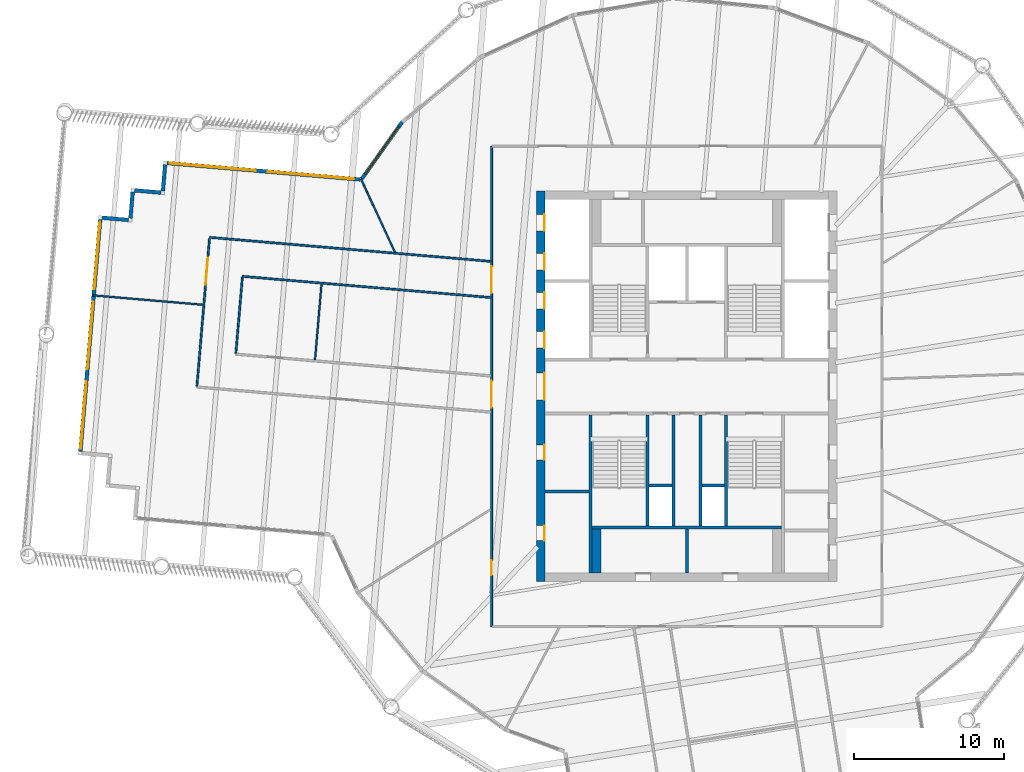
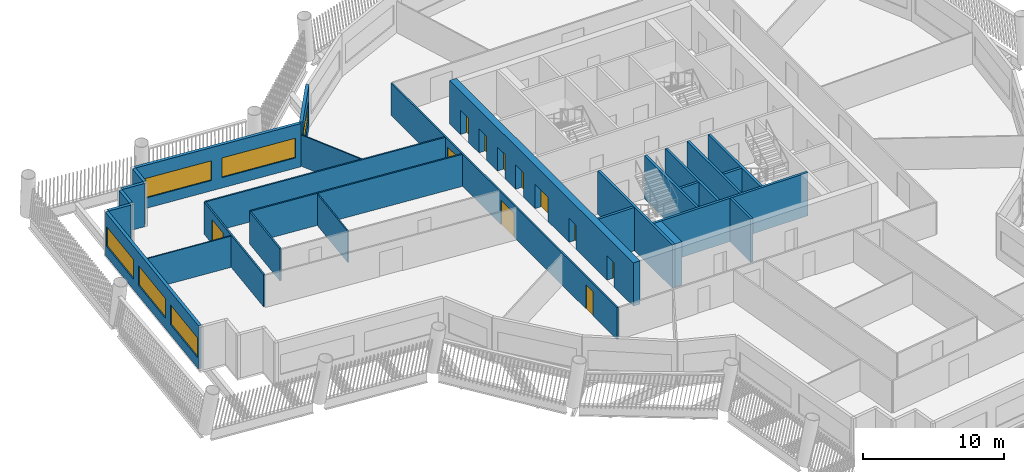
# One storey, part 4 of 14: 27 walls, 11 doors, 6 windows, 17 openings.
"""IFC4 building model written with IfcOpenShell, lengths in metres."""

from ifc_helpers import new_model, si_unit, direction, frame, frame_2d, origin, place, context, subcontext, project, spatial, rectangle, extrude, material, layer, layer_set, type_object, element, fill, save


model = new_model("IFC4")

# Units and contexts
model_context = context("Model", 3, precision=1e-05, world=origin(), true_north=direction((0.0, 1.0)))
body_context = subcontext(model_context, "Body", "Model", "MODEL_VIEW")
ifc_project = project(units=[si_unit("LENGTHUNIT", "METRE"), si_unit("AREAUNIT", "SQUARE_METRE"), si_unit("VOLUMEUNIT", "CUBIC_METRE"), si_unit("PLANEANGLEUNIT", "RADIAN"), si_unit("MASSUNIT", "GRAM", prefix="KILO")], contexts=[model_context])

# Site, building, storey
site_placement = place(None, origin())
site = spatial("IfcSite", under=ifc_project, at=site_placement, CompositionType="ELEMENT")
building_placement = place(site_placement, origin())
building = spatial("IfcBuilding", under=site, at=building_placement, Name="Tarsis Ring Headquarters", CompositionType="ELEMENT")
storey_placement = place(building_placement, frame((0.0, 0.0, 266.89990234375)))
storey = spatial("IfcBuildingStorey", under=building, at=storey_placement, Name="L62", CompositionType="ELEMENT", Elevation=266.89990234375)

# Walls
ifc_material_1 = material(Name="Blockwork", Category="masonry")
ifc_layer_1 = layer(ifc_material_1, 0.199951171875)
ifc_layer_set_1 = layer_set([ifc_layer_1], Name="Core blockwork wall 200")
wall_type_1 = type_object("IfcWallType", Name="Core blockwork wall 200", PredefinedType="PARTITIONING", material=ifc_layer_set_1)
for number, where, z_axis, x_axis, name in (
    (1, (-9.449951171875, -7.0, 0.0), (0.0, 0.0, 1.0), (1.0, 0.0, 0.0), "Core partition WD2"),
    (2, (0.0, -12.449951171875, 0.0), (0.0, 0.0, 1.0), (0.0, 1.0, 0.0), "Core partition SD2"),
):
    element("IfcWall", number, at=place(storey_placement, frame(where, z_axis=z_axis, x_axis=x_axis)), inside=storey, type_object=wall_type_1, Name=name, PredefinedType="PARTITIONING", context=body_context, shape_type="SweptSolid", body=[
        extrude(rectangle(XDim=2.949951171875, YDim=0.199951171875, at=frame_2d((1.47509765625, 0.0))), origin(), (0.0, 0.0, 1.0), 3.739990234375),
    ])
for number, where, z_axis, x_axis, name in (
    (3, (-2.5, -6.60009765625, 0.0), (0.0, 0.0, 1.0), (1.0, 0.0, 0.0), "Core partition SP1"),
    (4, (1.0, -6.60009765625, 0.0), (0.0, 0.0, 1.0), (1.0, 0.0, 0.0), "Core partition SP3"),
):
    element("IfcWall", number, at=place(storey_placement, frame(where, z_axis=z_axis, x_axis=x_axis)), inside=storey, type_object=wall_type_1, Name=name, PredefinedType="PARTITIONING", context=body_context, shape_type="SweptSolid", body=[
        extrude(rectangle(XDim=1.5, YDim=0.199951171875, at=frame_2d((0.75, 0.0))), origin(), (0.0, 0.0, 1.0), 3.739990234375),
    ])
for number, where, z_axis, x_axis, name in (
    (5, (-0.89990234375, -9.300048828125, 0.0), (0.0, 0.0, 1.0), (0.0, 1.0, 0.0), "Core partition SV1"),
    (6, (0.89990234375, -9.300048828125, 0.0), (0.0, 0.0, 1.0), (0.0, 1.0, 0.0), "Core partition SV2"),
):
    element("IfcWall", number, at=place(storey_placement, frame(where, z_axis=z_axis, x_axis=x_axis)), inside=storey, type_object=wall_type_1, Name=name, PredefinedType="PARTITIONING", context=body_context, shape_type="SweptSolid", body=[
        extrude(rectangle(XDim=7.400146484375, YDim=0.199951171875, at=frame_2d((3.7001953125, 0.0))), origin(), (0.0, 0.0, 1.0), 3.739990234375),
    ])

# Wall, openings, doors
ifc_material_2 = material(Name="Concrete C50/60", Category="concrete")
ifc_layer_2 = layer(ifc_material_2, 0.550048828125)
ifc_layer_set_2 = layer_set([ifc_layer_2], Name="Core wall 550 C50/60")
wall_type_2 = type_object("IfcWallType", Name="Core wall 550 C50/60", PredefinedType="SHEAR", material=ifc_layer_set_2)
wall_1_placement = place(storey_placement, frame((-9.72509765625, -13.0, 0.0), z_axis=(0.0, 0.0, 1.0), x_axis=(0.0, 1.0, 0.0)))
wall_1 = element("IfcWall", 7, at=wall_1_placement, inside=storey, type_object=wall_type_2, Name="Core wall OW", PredefinedType="SHEAR", context=body_context, shape_type="SweptSolid", body=[
    extrude(rectangle(XDim=26.0, YDim=0.550048828125, at=frame_2d((13.0, 0.0))), origin(), (0.0, 0.0, 1.0), 3.739990234375),
])
opening_1_placement = place(wall_1_placement, frame((2.72509765625, 0.0, 0.0)))
opening_1 = element("IfcOpeningElement", 8, at=opening_1_placement, cuts=wall_1, Name="Opening L62-C01", PredefinedType="OPENING", context=body_context, shape_type="SweptSolid", body=[
    extrude(rectangle(XDim=1.0, YDim=2.10009765625, at=frame_2d((0.5, 1.050048828125))), frame((0.0, 0.284912109375, 0.0), z_axis=(0.0, -1.0, 0.0), x_axis=(1.0, 0.0, 0.0)), (0.0, 0.0, 1.0), 0.570068359375),
])
opening_2_placement = place(wall_1_placement, frame((8.10009765625, 0.0, 0.0)))
opening_2 = element("IfcOpeningElement", 9, at=opening_2_placement, cuts=wall_1, Name="Opening L62-C02", PredefinedType="OPENING", context=body_context, shape_type="SweptSolid", body=[
    extrude(rectangle(XDim=1.0, YDim=2.10009765625, at=frame_2d((0.5, 1.050048828125))), frame((0.0, 0.284912109375, 0.0), z_axis=(0.0, -1.0, 0.0), x_axis=(1.0, 0.0, 0.0)), (0.0, 0.0, 1.0), 0.570068359375),
])
opening_3_placement = place(wall_1_placement, frame((12.10009765625, 0.0, 0.0)))
opening_3 = element("IfcOpeningElement", 10, at=opening_3_placement, cuts=wall_1, Name="Opening L62-C03", PredefinedType="OPENING", context=body_context, shape_type="SweptSolid", body=[
    extrude(rectangle(XDim=1.800048828125, YDim=2.10009765625, at=frame_2d((0.89990234375, 1.050048828125))), frame((0.0, 0.284912109375, 0.0), z_axis=(0.0, -1.0, 0.0), x_axis=(1.0, 0.0, 0.0)), (0.0, 0.0, 1.0), 0.570068359375),
])
opening_4_placement = place(wall_1_placement, frame((15.550048828125, 0.0, 0.0)))
opening_4 = element("IfcOpeningElement", 11, at=opening_4_placement, cuts=wall_1, Name="Opening LD-HR1", PredefinedType="OPENING", context=body_context, shape_type="SweptSolid", body=[
    extrude(rectangle(XDim=1.10009765625, YDim=2.10009765625, at=frame_2d((0.550048828125, 1.050048828125))), frame((0.0, 0.284912109375, 0.0), z_axis=(0.0, -1.0, 0.0), x_axis=(1.0, 0.0, 0.0)), (0.0, 0.0, 1.0), 0.570068359375),
])
opening_5_placement = place(wall_1_placement, frame((18.14990234375, 0.0, 0.0)))
opening_5 = element("IfcOpeningElement", 12, at=opening_5_placement, cuts=wall_1, Name="Opening LD-HR2", PredefinedType="OPENING", context=body_context, shape_type="SweptSolid", body=[
    extrude(rectangle(XDim=1.10009765625, YDim=2.10009765625, at=frame_2d((0.550048828125, 1.050048828125))), frame((0.0, 0.284912109375, 0.0), z_axis=(0.0, -1.0, 0.0), x_axis=(1.0, 0.0, 0.0)), (0.0, 0.0, 1.0), 0.570068359375),
])
opening_6_placement = place(wall_1_placement, frame((20.75, 0.0, 0.0)))
opening_6 = element("IfcOpeningElement", 13, at=opening_6_placement, cuts=wall_1, Name="Opening LD-HR3", PredefinedType="OPENING", context=body_context, shape_type="SweptSolid", body=[
    extrude(rectangle(XDim=1.10009765625, YDim=2.10009765625, at=frame_2d((0.550048828125, 1.050048828125))), frame((0.0, 0.284912109375, 0.0), z_axis=(0.0, -1.0, 0.0), x_axis=(1.0, 0.0, 0.0)), (0.0, 0.0, 1.0), 0.570068359375),
])
opening_7_placement = place(wall_1_placement, frame((23.35009765625, 0.0, 0.0)))
opening_7 = element("IfcOpeningElement", 14, at=opening_7_placement, cuts=wall_1, Name="Opening LD-HR4", PredefinedType="OPENING", context=body_context, shape_type="SweptSolid", body=[
    extrude(rectangle(XDim=1.10009765625, YDim=2.10009765625, at=frame_2d((0.550048828125, 1.050048828125))), frame((0.0, 0.284912109375, 0.0), z_axis=(0.0, -1.0, 0.0), x_axis=(1.0, 0.0, 0.0)), (0.0, 0.0, 1.0), 0.570068359375),
])
ifc_material_3 = material(Name="Steel S355", Category="steel")
door_type_1 = type_object("IfcDoorType", Name="Core entry door 1800x2100", OperationType="DOUBLE_DOOR_SINGLE_SWING", PredefinedType="DOOR", material=ifc_material_3)
door_1_placement = place(opening_3_placement, origin())
door_1 = element("IfcDoor", 15, at=door_1_placement, inside=storey, type_object=door_type_1, Name="Core entry door L62", OperationType="DOUBLE_DOOR_SINGLE_SWING", OverallHeight=2.10009765625, OverallWidth=1.800048828125, PredefinedType="DOOR", context=body_context, shape_type="SweptSolid", body=[
    extrude(rectangle(XDim=1.800048828125, YDim=2.10009765625, at=frame_2d((0.89990234375, 1.050048828125))), frame((0.0, -0.22509765625, 0.0), z_axis=(0.0, -1.0, 0.0), x_axis=(1.0, 0.0, 0.0)), (0.0, 0.0, 1.0), 0.050048828125),
])
fill(opening_3, door_1)
door_type_2 = type_object("IfcDoorType", Name="Core room door 1000x2100", OperationType="SINGLE_SWING_LEFT", PredefinedType="DOOR", material=ifc_material_3)
door_2_placement = place(opening_1_placement, origin())
door_2 = element("IfcDoor", 16, at=door_2_placement, inside=storey, type_object=door_type_2, Name="Core room door L62", OperationType="SINGLE_SWING_LEFT", OverallHeight=2.10009765625, OverallWidth=1.0, PredefinedType="DOOR", context=body_context, shape_type="SweptSolid", body=[
    extrude(rectangle(XDim=1.0, YDim=2.10009765625, at=frame_2d((0.5, 1.050048828125))), frame((0.0, -0.22509765625, 0.0), z_axis=(0.0, -1.0, 0.0), x_axis=(1.0, 0.0, 0.0)), (0.0, 0.0, 1.0), 0.050048828125),
])
fill(opening_1, door_2)
door_3_placement = place(opening_2_placement, origin())
door_3 = element("IfcDoor", 17, at=door_3_placement, inside=storey, type_object=door_type_2, Name="Core room door L62", OperationType="SINGLE_SWING_LEFT", OverallHeight=2.10009765625, OverallWidth=1.0, PredefinedType="DOOR", context=body_context, shape_type="SweptSolid", body=[
    extrude(rectangle(XDim=1.0, YDim=2.10009765625, at=frame_2d((0.5, 1.050048828125))), frame((0.0, -0.22509765625, 0.0), z_axis=(0.0, -1.0, 0.0), x_axis=(1.0, 0.0, 0.0)), (0.0, 0.0, 1.0), 0.050048828125),
])
fill(opening_2, door_3)
door_type_3 = type_object("IfcDoorType", Name="Landing door 1100x2100", OperationType="SLIDING_TO_LEFT", PredefinedType="DOOR", material=ifc_material_3)
door_4_placement = place(opening_4_placement, origin())
door_4 = element("IfcDoor", 18, at=door_4_placement, inside=storey, type_object=door_type_3, Name="Landing door HR1 L62", OperationType="SLIDING_TO_LEFT", OverallHeight=2.10009765625, OverallWidth=1.10009765625, PredefinedType="DOOR", context=body_context, shape_type="SweptSolid", body=[
    extrude(rectangle(XDim=1.10009765625, YDim=2.10009765625, at=frame_2d((0.550048828125, 1.050048828125))), frame((0.0, -0.22509765625, 0.0), z_axis=(0.0, -1.0, 0.0), x_axis=(1.0, 0.0, 0.0)), (0.0, 0.0, 1.0), 0.050048828125),
])
fill(opening_4, door_4)
door_5_placement = place(opening_5_placement, origin())
door_5 = element("IfcDoor", 19, at=door_5_placement, inside=storey, type_object=door_type_3, Name="Landing door HR2 L62", OperationType="SLIDING_TO_LEFT", OverallHeight=2.10009765625, OverallWidth=1.10009765625, PredefinedType="DOOR", context=body_context, shape_type="SweptSolid", body=[
    extrude(rectangle(XDim=1.10009765625, YDim=2.10009765625, at=frame_2d((0.550048828125, 1.050048828125))), frame((0.0, -0.22509765625, 0.0), z_axis=(0.0, -1.0, 0.0), x_axis=(1.0, 0.0, 0.0)), (0.0, 0.0, 1.0), 0.050048828125),
])
fill(opening_5, door_5)
door_6_placement = place(opening_6_placement, origin())
door_6 = element("IfcDoor", 20, at=door_6_placement, inside=storey, type_object=door_type_3, Name="Landing door HR3 L62", OperationType="SLIDING_TO_LEFT", OverallHeight=2.10009765625, OverallWidth=1.10009765625, PredefinedType="DOOR", context=body_context, shape_type="SweptSolid", body=[
    extrude(rectangle(XDim=1.10009765625, YDim=2.10009765625, at=frame_2d((0.550048828125, 1.050048828125))), frame((0.0, -0.22509765625, 0.0), z_axis=(0.0, -1.0, 0.0), x_axis=(1.0, 0.0, 0.0)), (0.0, 0.0, 1.0), 0.050048828125),
])
fill(opening_6, door_6)
door_7_placement = place(opening_7_placement, origin())
door_7 = element("IfcDoor", 21, at=door_7_placement, inside=storey, type_object=door_type_3, Name="Landing door HR4 L62", OperationType="SLIDING_TO_LEFT", OverallHeight=2.10009765625, OverallWidth=1.10009765625, PredefinedType="DOOR", context=body_context, shape_type="SweptSolid", body=[
    extrude(rectangle(XDim=1.10009765625, YDim=2.10009765625, at=frame_2d((0.550048828125, 1.050048828125))), frame((0.0, -0.22509765625, 0.0), z_axis=(0.0, -1.0, 0.0), x_axis=(1.0, 0.0, 0.0)), (0.0, 0.0, 1.0), 0.050048828125),
])
fill(opening_7, door_7)

# Walls
ifc_material_4 = material(Name="Gypsum board on steel studs", Category="steel")
ifc_layer_3 = layer(ifc_material_4, 0.10009765625)
ifc_layer_set_3 = layer_set([ifc_layer_3], Name="FL partition 100 unrated")
wall_type_3 = type_object("IfcWallType", Name="FL partition 100 unrated", PredefinedType="PARTITIONING", material=ifc_layer_set_3)
wall_2_placement = place(storey_placement, frame((-39.577880859375, 6.058837890625, 0.0), z_axis=(0.0, 0.0, 1.0), x_axis=(0.996374862874, -0.085071338493, 0.0)))
element("IfcWall", 22, at=wall_2_placement, inside=storey, type_object=wall_type_3, Name="Partition PW3", PredefinedType="PARTITIONING", context=body_context, shape_type="SweptSolid", body=[
    extrude(rectangle(XDim=7.36962890625, YDim=0.10009765625, at=frame_2d((3.684814453125, 0.0))), origin(), (0.0, 0.0, 1.0), 2.7001953125),
])
wall_3_placement = place(storey_placement, frame((-21.705810546875, 13.821533203125, 0.0), z_axis=(0.0, 0.0, 1.0), x_axis=(0.420558614475, -0.907265370105, 0.0)))
element("IfcWall", 23, at=wall_3_placement, inside=storey, type_object=wall_type_3, Name="Partition PW3", PredefinedType="PARTITIONING", context=body_context, shape_type="SweptSolid", body=[
    extrude(rectangle(XDim=5.373779296875, YDim=0.10009765625, at=frame_2d((2.68701171875, 0.0))), origin(), (0.0, 0.0, 1.0), 2.7001953125),
])
wall_4_placement = place(storey_placement, frame((-24.759765625, 1.7626953125, 0.0), z_axis=(0.0, 0.0, 1.0), x_axis=(0.085065845523, 0.996375331853, 0.0)))
element("IfcWall", 24, at=wall_4_placement, inside=storey, type_object=wall_type_3, Name="Partition PW3", PredefinedType="PARTITIONING", context=body_context, shape_type="SweptSolid", body=[
    extrude(rectangle(XDim=5.059814453125, YDim=0.10009765625, at=frame_2d((2.52978515625, 0.0))), origin(), (0.0, 0.0, 1.0), 2.7001953125),
])

# Wall, openings, doors
ifc_layer_4 = layer(ifc_material_4, 0.125)
ifc_layer_set_4 = layer_set([ifc_layer_4], Name="FL partition 125 EI 60 H2770")
wall_type_4 = type_object("IfcWallType", Name="FL partition 125 EI 60 H2770", PredefinedType="PARTITIONING", material=ifc_layer_set_4)
wall_5_placement = place(storey_placement, frame((-13.0, -16.0, 0.0), z_axis=(0.0, 0.0, 1.0), x_axis=(0.0, 1.0, 0.0)))
wall_5 = element("IfcWall", 25, at=wall_5_placement, inside=storey, type_object=wall_type_4, Name="Partition PW1", PredefinedType="PARTITIONING", context=body_context, shape_type="SweptSolid", body=[
    extrude(rectangle(XDim=32.0, YDim=0.125, at=frame_2d((16.0, 0.0))), origin(), (0.0, 0.0, 1.0), 2.77001953125),
])
opening_8_placement = place(wall_5_placement, frame((3.41943359375, 0.0, 0.0)))
opening_8 = element("IfcOpeningElement", 26, at=opening_8_placement, cuts=wall_5, Name="Opening D62.11", PredefinedType="OPENING", context=body_context, shape_type="SweptSolid", body=[
    extrude(rectangle(XDim=1.0, YDim=2.10009765625, at=frame_2d((0.5, 1.050048828125))), frame((0.0, 0.072509765625, 0.0), z_axis=(0.0, -1.0, 0.0), x_axis=(1.0, 0.0, 0.0)), (0.0, 0.0, 1.0), 0.14501953125),
])
opening_9_placement = place(wall_5_placement, frame((14.583984375, 0.0, 0.0)))
opening_9 = element("IfcOpeningElement", 27, at=opening_9_placement, cuts=wall_5, Name="Opening D62.18", PredefinedType="OPENING", context=body_context, shape_type="SweptSolid", body=[
    extrude(rectangle(XDim=1.800048828125, YDim=2.10009765625, at=frame_2d((0.89990234375, 1.050048828125))), frame((0.0, 0.072509765625, 0.0), z_axis=(0.0, -1.0, 0.0), x_axis=(1.0, 0.0, 0.0)), (0.0, 0.0, 1.0), 0.14501953125),
])
opening_10_placement = place(wall_5_placement, frame((22.211669921875, 0.0, 0.0)))
opening_10 = element("IfcOpeningElement", 28, at=opening_10_placement, cuts=wall_5, Name="Opening D62.19", PredefinedType="OPENING", context=body_context, shape_type="SweptSolid", body=[
    extrude(rectangle(XDim=1.800048828125, YDim=2.10009765625, at=frame_2d((0.89990234375, 1.050048828125))), frame((0.0, 0.072509765625, 0.0), z_axis=(0.0, -1.0, 0.0), x_axis=(1.0, 0.0, 0.0)), (0.0, 0.0, 1.0), 0.14501953125),
])
ifc_material_5 = material(Name="Fire-rated timber door leaf in steel frame", Category="steel")
door_type_4 = type_object("IfcDoorType", Name="FL door FD60-1000", OperationType="NOTDEFINED", PredefinedType="DOOR", material=ifc_material_5)
door_8_placement = place(opening_8_placement, origin())
door_8 = element("IfcDoor", 29, at=door_8_placement, inside=storey, type_object=door_type_4, Name="Door D62.11", OperationType="SINGLE_SWING_LEFT", OverallHeight=2.10009765625, OverallWidth=1.0, PredefinedType="DOOR", context=body_context, shape_type="SweptSolid", body=[
    extrude(rectangle(XDim=1.0, YDim=2.10009765625, at=frame_2d((0.5, 1.050048828125))), frame((0.0, 0.02490234375, 0.0), z_axis=(0.0, -1.0, 0.0), x_axis=(1.0, 0.0, 0.0)), (0.0, 0.0, 1.0), 0.050048828125),
])
fill(opening_8, door_8)
door_type_5 = type_object("IfcDoorType", Name="FL door FD60-1800", OperationType="DOUBLE_DOOR_SINGLE_SWING", PredefinedType="DOOR", material=ifc_material_5)
door_9_placement = place(opening_9_placement, origin())
door_9 = element("IfcDoor", 30, at=door_9_placement, inside=storey, type_object=door_type_5, Name="Door D62.18", OperationType="DOUBLE_DOOR_SINGLE_SWING", OverallHeight=2.10009765625, OverallWidth=1.800048828125, PredefinedType="DOOR", context=body_context, shape_type="SweptSolid", body=[
    extrude(rectangle(XDim=1.800048828125, YDim=2.10009765625, at=frame_2d((0.89990234375, 1.050048828125))), frame((0.0, 0.02490234375, 0.0), z_axis=(0.0, -1.0, 0.0), x_axis=(1.0, 0.0, 0.0)), (0.0, 0.0, 1.0), 0.050048828125),
])
fill(opening_9, door_9)
door_10_placement = place(opening_10_placement, origin())
door_10 = element("IfcDoor", 31, at=door_10_placement, inside=storey, type_object=door_type_5, Name="Door D62.19", OperationType="DOUBLE_DOOR_SINGLE_SWING", OverallHeight=2.10009765625, OverallWidth=1.800048828125, PredefinedType="DOOR", context=body_context, shape_type="SweptSolid", body=[
    extrude(rectangle(XDim=1.800048828125, YDim=2.10009765625, at=frame_2d((0.89990234375, 1.050048828125))), frame((0.0, 0.02490234375, 0.0), z_axis=(0.0, -1.0, 0.0), x_axis=(1.0, 0.0, 0.0)), (0.0, 0.0, 1.0), 0.050048828125),
])
fill(opening_10, door_10)

# Walls
wall_6_placement = place(storey_placement, frame((-31.781494140625, 9.919677734375, 0.0), z_axis=(0.0, 0.0, 1.0), x_axis=(0.996374786083, -0.085072237881, 0.0)))
element("IfcWall", 32, at=wall_6_placement, inside=storey, type_object=wall_type_4, Name="Partition PW1", PredefinedType="PARTITIONING", context=body_context, shape_type="SweptSolid", body=[
    extrude(rectangle(XDim=18.780029296875, YDim=0.125, at=frame_2d((9.39013671875, 0.0))), origin(), (0.0, 0.0, 1.0), 2.77001953125),
])
wall_7_placement = place(storey_placement, frame((-29.59423828125, 7.32421875, 0.0), z_axis=(0.0, 0.0, 1.0), x_axis=(0.996374866898, -0.085071291362, 0.0)))
element("IfcWall", 33, at=wall_7_placement, inside=storey, type_object=wall_type_4, Name="Partition PW1", PredefinedType="PARTITIONING", context=body_context, shape_type="SweptSolid", body=[
    extrude(rectangle(XDim=16.584716796875, YDim=0.125, at=frame_2d((8.29248046875, 0.0))), origin(), (0.0, 0.0, 1.0), 2.77001953125),
])

# Wall, opening, door
wall_8_placement = place(storey_placement, frame((-32.626953125, 0.015625, 0.0), z_axis=(0.0, 0.0, 1.0), x_axis=(0.08505350721, 0.996376385163, 0.0)))
wall_8 = element("IfcWall", 34, at=wall_8_placement, inside=storey, type_object=wall_type_4, Name="Partition PW1", PredefinedType="PARTITIONING", context=body_context, shape_type="SweptSolid", body=[
    extrude(rectangle(XDim=9.880126953125, YDim=0.125, at=frame_2d((4.93994140625, 0.0))), origin(), (0.0, 0.0, 1.0), 2.77001953125),
])
opening_11_placement = place(wall_8_placement, frame((6.783203125, 0.0, 0.0)))
opening_11 = element("IfcOpeningElement", 35, at=opening_11_placement, cuts=wall_8, Name="Opening D62.02", PredefinedType="OPENING", context=body_context, shape_type="SweptSolid", body=[
    extrude(rectangle(XDim=1.800048828125, YDim=2.10009765625, at=frame_2d((0.89990234375, 1.050048828125))), frame((0.0, 0.072509765625, 0.0), z_axis=(0.0, -1.0, 0.0), x_axis=(1.0, 0.0, 0.0)), (0.0, 0.0, 1.0), 0.14501953125),
])
door_11_placement = place(opening_11_placement, origin())
door_11 = element("IfcDoor", 36, at=door_11_placement, inside=storey, type_object=door_type_5, Name="Door D62.02", OperationType="DOUBLE_DOOR_SINGLE_SWING", OverallHeight=2.10009765625, OverallWidth=1.800048828125, PredefinedType="DOOR", context=body_context, shape_type="SweptSolid", body=[
    extrude(rectangle(XDim=1.800048828125, YDim=2.10009765625, at=frame_2d((0.89990234375, 1.050048828125))), frame((0.0, 0.02490234375, 0.0), z_axis=(0.0, -1.0, 0.0), x_axis=(1.0, 0.0, 0.0)), (0.0, 0.0, 1.0), 0.050048828125),
])
fill(opening_11, door_11)

# Wall
wall_9_placement = place(storey_placement, frame((-30.031494140625, 2.20263671875, 0.0), z_axis=(0.0, 0.0, 1.0), x_axis=(0.085061735324, 0.996375682754, 0.0)))
element("IfcWall", 37, at=wall_9_placement, inside=storey, type_object=wall_type_4, Name="Partition PW1", PredefinedType="PARTITIONING", context=body_context, shape_type="SweptSolid", body=[
    extrude(rectangle(XDim=5.080078125, YDim=0.125, at=frame_2d((2.5400390625, 0.0))), origin(), (0.0, 0.0, 1.0), 2.77001953125),
])

# Wall, opening, window
ifc_material_6 = material(Name="Terracotta clad insulated panel wall", Category="masonry")
ifc_layer_5 = layer(ifc_material_6, 0.25)
ifc_layer_set_5 = layer_set([ifc_layer_5], Name="Facade wall terracotta panel 250")
wall_type_5 = type_object("IfcWallType", Name="Facade wall terracotta panel 250", PredefinedType="STANDARD", material=ifc_layer_set_5)
wall_10_placement = place(storey_placement, frame((-18.969482421875, 17.5927734375, 0.0), z_axis=(0.0, 0.0, 1.0), x_axis=(-0.578995383492, -0.81533081991, 0.0)))
wall_10 = element("IfcWall", 38, at=wall_10_placement, inside=storey, type_object=wall_type_5, Name="External wall L62-30", PredefinedType="STANDARD", context=body_context, shape_type="SweptSolid", body=[
    extrude(rectangle(XDim=4.61767578125, YDim=0.25, at=frame_2d((2.308837890625, 0.0))), origin(), (0.0, 0.0, 1.0), 3.739990234375),
])
opening_12_placement = place(wall_10_placement, frame((0.367431640625, 0.0, 0.89990234375)))
opening_12 = element("IfcOpeningElement", 39, at=opening_12_placement, cuts=wall_10, Name="Opening WN02", PredefinedType="OPENING", context=body_context, shape_type="SweptSolid", body=[
    extrude(rectangle(XDim=3.85009765625, YDim=1.699951171875, at=frame_2d((1.925048828125, 0.85009765625))), frame((0.0, 0.135009765625, 0.0), z_axis=(0.0, -1.0, 0.0), x_axis=(1.0, 0.0, 0.0)), (0.0, 0.0, 1.0), 0.27001953125),
])
ifc_material_7 = material(Name="Aluminium framed double glazing", Category="aluminium")
window_type_1 = type_object("IfcWindowType", Name="Facade window 3850 x 1700", PartitioningType="SINGLE_PANEL", PredefinedType="WINDOW", material=ifc_material_7)
window_1_placement = place(opening_12_placement, origin())
window_1 = element("IfcWindow", 40, at=window_1_placement, inside=storey, type_object=window_type_1, Name="Window L62-30.1", OverallHeight=1.699951171875, OverallWidth=3.85009765625, PartitioningType="SINGLE_PANEL", PredefinedType="WINDOW", context=body_context, shape_type="SweptSolid", body=[
    extrude(rectangle(XDim=3.85009765625, YDim=1.699951171875, at=frame_2d((1.925048828125, 0.85009765625))), frame((0.0, 0.030029296875, 0.0), z_axis=(0.0, -1.0, 0.0), x_axis=(1.0, 0.0, 0.0)), (0.0, 0.0, 1.0), 0.06005859375),
])
fill(opening_12, window_1)

# Wall, openings, windows
wall_11_placement = place(storey_placement, frame((-21.755615234375, 13.775634765625, 0.0), z_axis=(0.0, 0.0, 1.0), x_axis=(-0.99637401721, 0.085081242524, 0.0)))
wall_11 = element("IfcWall", 41, at=wall_11_placement, inside=storey, type_object=wall_type_5, Name="External wall L62-31", PredefinedType="STANDARD", context=body_context, shape_type="SweptSolid", body=[
    extrude(rectangle(XDim=12.9013671875, YDim=0.25, at=frame_2d((6.45068359375, 0.0))), origin(), (0.0, 0.0, 1.0), 3.739990234375),
])
opening_13_placement = place(wall_11_placement, frame((0.412841796875, 0.0, 0.89990234375)))
opening_13 = element("IfcOpeningElement", 42, at=opening_13_placement, cuts=wall_11, Name="Opening WN06", PredefinedType="OPENING", context=body_context, shape_type="SweptSolid", body=[
    extrude(rectangle(XDim=5.75, YDim=1.699951171875, at=frame_2d((2.875, 0.85009765625))), frame((0.0, 0.135009765625, 0.0), z_axis=(0.0, -1.0, 0.0), x_axis=(1.0, 0.0, 0.0)), (0.0, 0.0, 1.0), 0.27001953125),
])
opening_14_placement = place(wall_11_placement, frame((6.988525390625, 0.0, 0.89990234375)))
opening_14 = element("IfcOpeningElement", 43, at=opening_14_placement, cuts=wall_11, Name="Opening WN06", PredefinedType="OPENING", context=body_context, shape_type="SweptSolid", body=[
    extrude(rectangle(XDim=5.75, YDim=1.699951171875, at=frame_2d((2.875, 0.85009765625))), frame((0.0, 0.135009765625, 0.0), z_axis=(0.0, -1.0, 0.0), x_axis=(1.0, 0.0, 0.0)), (0.0, 0.0, 1.0), 0.27001953125),
])
window_type_2 = type_object("IfcWindowType", Name="Facade window 5750 x 1700", PartitioningType="SINGLE_PANEL", PredefinedType="WINDOW", material=ifc_material_7)
window_2_placement = place(opening_13_placement, origin())
window_2 = element("IfcWindow", 44, at=window_2_placement, inside=storey, type_object=window_type_2, Name="Window L62-31.1", OverallHeight=1.699951171875, OverallWidth=5.75, PartitioningType="SINGLE_PANEL", PredefinedType="WINDOW", context=body_context, shape_type="SweptSolid", body=[
    extrude(rectangle(XDim=5.75, YDim=1.699951171875, at=frame_2d((2.875, 0.85009765625))), frame((0.0, 0.030029296875, 0.0), z_axis=(0.0, -1.0, 0.0), x_axis=(1.0, 0.0, 0.0)), (0.0, 0.0, 1.0), 0.06005859375),
])
fill(opening_13, window_2)
window_3_placement = place(opening_14_placement, origin())
window_3 = element("IfcWindow", 45, at=window_3_placement, inside=storey, type_object=window_type_2, Name="Window L62-31.2", OverallHeight=1.699951171875, OverallWidth=5.75, PartitioningType="SINGLE_PANEL", PredefinedType="WINDOW", context=body_context, shape_type="SweptSolid", body=[
    extrude(rectangle(XDim=5.75, YDim=1.699951171875, at=frame_2d((2.875, 0.85009765625))), frame((0.0, 0.030029296875, 0.0), z_axis=(0.0, -1.0, 0.0), x_axis=(1.0, 0.0, 0.0)), (0.0, 0.0, 1.0), 0.06005859375),
])
fill(opening_14, window_3)

# Walls
for number, where, z_axis, x_axis, name in (
    (46, (-34.745361328125, 14.75927734375, 0.0), (0.0, 0.0, 1.0), (-0.085100413303, -0.996372380014, 0.0), "External wall L62-32"),
    (47, (-35.029541015625, 12.901611328125, 0.0), (0.0, 0.0, 1.0), (-0.996372380014, 0.085100413303, 0.0), "External wall L62-33"),
):
    element("IfcWall", number, at=place(storey_placement, frame(where, z_axis=z_axis, x_axis=x_axis)), inside=storey, type_object=wall_type_5, Name=name, PredefinedType="STANDARD", context=body_context, shape_type="SweptSolid", body=[
        extrude(rectangle(XDim=1.75, YDim=0.25, at=frame_2d((0.875, 0.0))), origin(), (0.0, 0.0, 1.0), 3.739990234375),
    ])
wall_12_placement = place(storey_placement, frame((-36.908203125, 12.936767578125, 0.0), z_axis=(0.0, 0.0, 1.0), x_axis=(-0.085088585746, -0.996373390138, 0.0)))
element("IfcWall", 48, at=wall_12_placement, inside=storey, type_object=wall_type_5, Name="External wall L62-34", PredefinedType="STANDARD", context=body_context, shape_type="SweptSolid", body=[
    extrude(rectangle(XDim=1.750244140625, YDim=0.25, at=frame_2d((0.875, 0.0))), origin(), (0.0, 0.0, 1.0), 3.739990234375),
])
wall_13_placement = place(storey_placement, frame((-37.1923828125, 11.0791015625, 0.0), z_axis=(0.0, 0.0, 1.0), x_axis=(-0.996372380014, 0.085100413303, 0.0)))
element("IfcWall", 49, at=wall_13_placement, inside=storey, type_object=wall_type_5, Name="External wall L62-35", PredefinedType="STANDARD", context=body_context, shape_type="SweptSolid", body=[
    extrude(rectangle(XDim=1.75, YDim=0.25, at=frame_2d((0.875, 0.0))), origin(), (0.0, 0.0, 1.0), 3.739990234375),
])

# Wall, openings, windows
wall_14_placement = place(storey_placement, frame((-39.0712890625, 11.114013671875, 0.0), z_axis=(0.0, 0.0, 1.0), x_axis=(-0.08505535471, -0.996376227454, 0.0)))
wall_14 = element("IfcWall", 50, at=wall_14_placement, inside=storey, type_object=wall_type_5, Name="External wall L62-36", PredefinedType="STANDARD", context=body_context, shape_type="SweptSolid", body=[
    extrude(rectangle(XDim=15.5, YDim=0.25, at=frame_2d((7.75, 0.0))), origin(), (0.0, 0.0, 1.0), 3.739990234375),
])
opening_15_placement = place(wall_14_placement, frame((0.166748046875, 0.0, 0.89990234375)))
opening_15 = element("IfcOpeningElement", 51, at=opening_15_placement, cuts=wall_14, Name="Opening WN04", PredefinedType="OPENING", context=body_context, shape_type="SweptSolid", body=[
    extrude(rectangle(XDim=4.5, YDim=1.699951171875, at=frame_2d((2.25, 0.85009765625))), frame((0.0, 0.135009765625, 0.0), z_axis=(0.0, -1.0, 0.0), x_axis=(1.0, 0.0, 0.0)), (0.0, 0.0, 1.0), 0.27001953125),
])
opening_16_placement = place(wall_14_placement, frame((5.5, 0.0, 0.89990234375)))
opening_16 = element("IfcOpeningElement", 52, at=opening_16_placement, cuts=wall_14, Name="Opening WN04", PredefinedType="OPENING", context=body_context, shape_type="SweptSolid", body=[
    extrude(rectangle(XDim=4.5, YDim=1.699951171875, at=frame_2d((2.25, 0.85009765625))), frame((0.0, 0.135009765625, 0.0), z_axis=(0.0, -1.0, 0.0), x_axis=(1.0, 0.0, 0.0)), (0.0, 0.0, 1.0), 0.27001953125),
])
opening_17_placement = place(wall_14_placement, frame((10.833251953125, 0.0, 0.89990234375)))
opening_17 = element("IfcOpeningElement", 53, at=opening_17_placement, cuts=wall_14, Name="Opening WN04", PredefinedType="OPENING", context=body_context, shape_type="SweptSolid", body=[
    extrude(rectangle(XDim=4.5, YDim=1.699951171875, at=frame_2d((2.25, 0.85009765625))), frame((0.0, 0.135009765625, 0.0), z_axis=(0.0, -1.0, 0.0), x_axis=(1.0, 0.0, 0.0)), (0.0, 0.0, 1.0), 0.27001953125),
])
window_type_3 = type_object("IfcWindowType", Name="Facade window 4500 x 1700", PartitioningType="SINGLE_PANEL", PredefinedType="WINDOW", material=ifc_material_7)
window_4_placement = place(opening_15_placement, origin())
window_4 = element("IfcWindow", 54, at=window_4_placement, inside=storey, type_object=window_type_3, Name="Window L62-36.1", OverallHeight=1.699951171875, OverallWidth=4.5, PartitioningType="SINGLE_PANEL", PredefinedType="WINDOW", context=body_context, shape_type="SweptSolid", body=[
    extrude(rectangle(XDim=4.5, YDim=1.699951171875, at=frame_2d((2.25, 0.85009765625))), frame((0.0, 0.030029296875, 0.0), z_axis=(0.0, -1.0, 0.0), x_axis=(1.0, 0.0, 0.0)), (0.0, 0.0, 1.0), 0.06005859375),
])
fill(opening_15, window_4)
window_5_placement = place(opening_16_placement, origin())
window_5 = element("IfcWindow", 55, at=window_5_placement, inside=storey, type_object=window_type_3, Name="Window L62-36.2", OverallHeight=1.699951171875, OverallWidth=4.5, PartitioningType="SINGLE_PANEL", PredefinedType="WINDOW", context=body_context, shape_type="SweptSolid", body=[
    extrude(rectangle(XDim=4.5, YDim=1.699951171875, at=frame_2d((2.25, 0.85009765625))), frame((0.0, 0.030029296875, 0.0), z_axis=(0.0, -1.0, 0.0), x_axis=(1.0, 0.0, 0.0)), (0.0, 0.0, 1.0), 0.06005859375),
])
fill(opening_16, window_5)
window_6_placement = place(opening_17_placement, origin())
window_6 = element("IfcWindow", 56, at=window_6_placement, inside=storey, type_object=window_type_3, Name="Window L62-36.3", OverallHeight=1.699951171875, OverallWidth=4.5, PartitioningType="SINGLE_PANEL", PredefinedType="WINDOW", context=body_context, shape_type="SweptSolid", body=[
    extrude(rectangle(XDim=4.5, YDim=1.699951171875, at=frame_2d((2.25, 0.85009765625))), frame((0.0, 0.030029296875, 0.0), z_axis=(0.0, -1.0, 0.0), x_axis=(1.0, 0.0, 0.0)), (0.0, 0.0, 1.0), 0.06005859375),
])
fill(opening_17, window_6)

# Walls
ifc_material_8 = material(Name="Concrete C32/40", Category="concrete")
ifc_layer_6 = layer(ifc_material_8, 0.60009765625)
ifc_layer_set_6 = layer_set([ifc_layer_6], Name="Shaft end wall 600 C32/40")
wall_type_6 = type_object("IfcWallType", Name="Shaft end wall 600 C32/40", PredefinedType="SOLIDWALL", material=ifc_layer_set_6)
wall_15_placement = place(storey_placement, frame((-6.0, -12.449951171875, 0.0), z_axis=(0.0, 0.0, 1.0), x_axis=(0.0, 1.0, 0.0)))
element("IfcWall", 57, at=wall_15_placement, inside=storey, type_object=wall_type_6, Name="Core shaft wall SNE1", PredefinedType="SOLIDWALL", context=body_context, shape_type="SweptSolid", body=[
    extrude(rectangle(XDim=2.949951171875, YDim=0.60009765625, at=frame_2d((1.47509765625, 0.0))), origin(), (0.0, 0.0, 1.0), 3.739990234375),
])
ifc_layer_7 = layer(ifc_material_8, 0.199951171875)
ifc_layer_set_7 = layer_set([ifc_layer_7], Name="Shaft wall 200 C32/40")
wall_type_7 = type_object("IfcWallType", Name="Shaft wall 200 C32/40", PredefinedType="SOLIDWALL", material=ifc_layer_set_7)
wall_16_placement = place(storey_placement, frame((-6.39990234375, -12.449951171875, 0.0), z_axis=(0.0, 0.0, 1.0), x_axis=(0.0, 1.0, 0.0)))
element("IfcWall", 58, at=wall_16_placement, inside=storey, type_object=wall_type_7, Name="Core shaft wall WB1", PredefinedType="SOLIDWALL", context=body_context, shape_type="SweptSolid", body=[
    extrude(rectangle(XDim=10.550048828125, YDim=0.199951171875, at=frame_2d((5.27490234375, 0.0))), origin(), (0.0, 0.0, 1.0), 3.739990234375),
])
wall_17_placement = place(storey_placement, frame((-6.300048828125, -9.39990234375, 0.0), z_axis=(0.0, 0.0, 1.0), x_axis=(1.0, 0.0, 0.0)))
element("IfcWall", 59, at=wall_17_placement, inside=storey, type_object=wall_type_7, Name="Core shaft wall SB", PredefinedType="SOLIDWALL", context=body_context, shape_type="SweptSolid", body=[
    extrude(rectangle(XDim=12.60009765625, YDim=0.199951171875, at=frame_2d((6.300048828125, 0.0))), origin(), (0.0, 0.0, 1.0), 3.739990234375),
])
for number, where, z_axis, x_axis, name in (
    (60, (-2.60009765625, -9.300048828125, 0.0), (0.0, 0.0, 1.0), (0.0, 1.0, 0.0), "Core shaft wall SW3"),
    (61, (2.60009765625, -9.300048828125, 0.0), (0.0, 0.0, 1.0), (0.0, 1.0, 0.0), "Core shaft wall SW4"),
):
    element("IfcWall", number, at=place(storey_placement, frame(where, z_axis=z_axis, x_axis=x_axis)), inside=storey, type_object=wall_type_7, Name=name, PredefinedType="SOLIDWALL", context=body_context, shape_type="SweptSolid", body=[
        extrude(rectangle(XDim=7.400146484375, YDim=0.199951171875, at=frame_2d((3.7001953125, 0.0))), origin(), (0.0, 0.0, 1.0), 3.739990234375),
    ])

save(model, "model.ifc")
